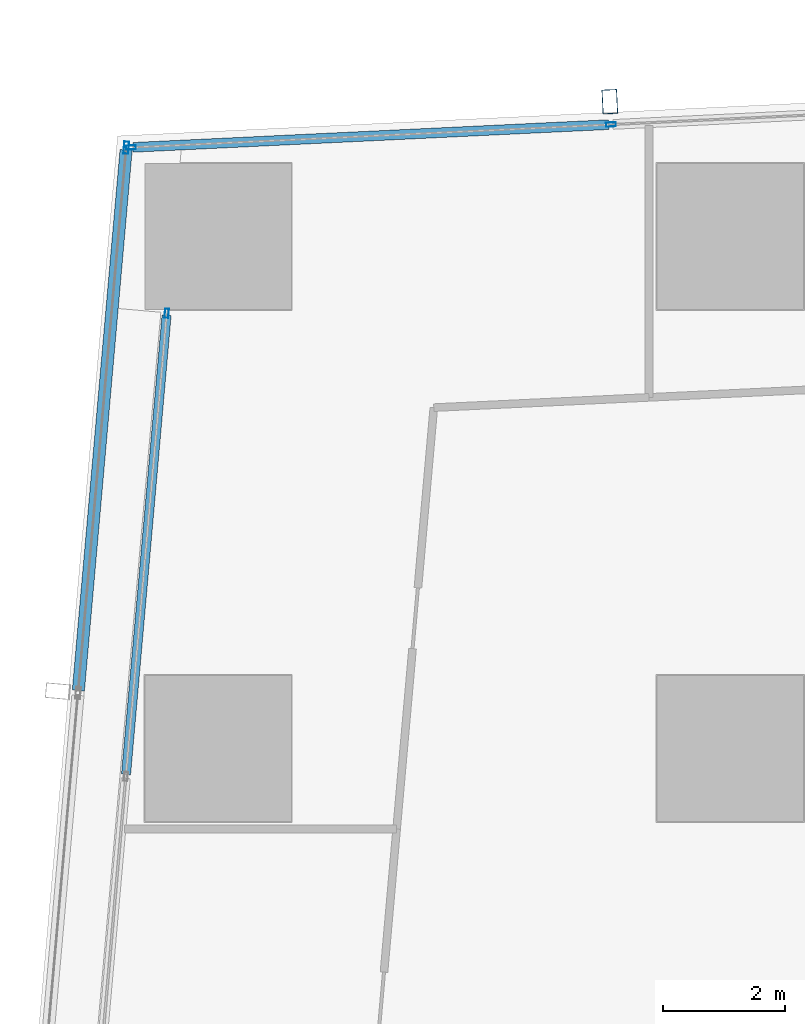
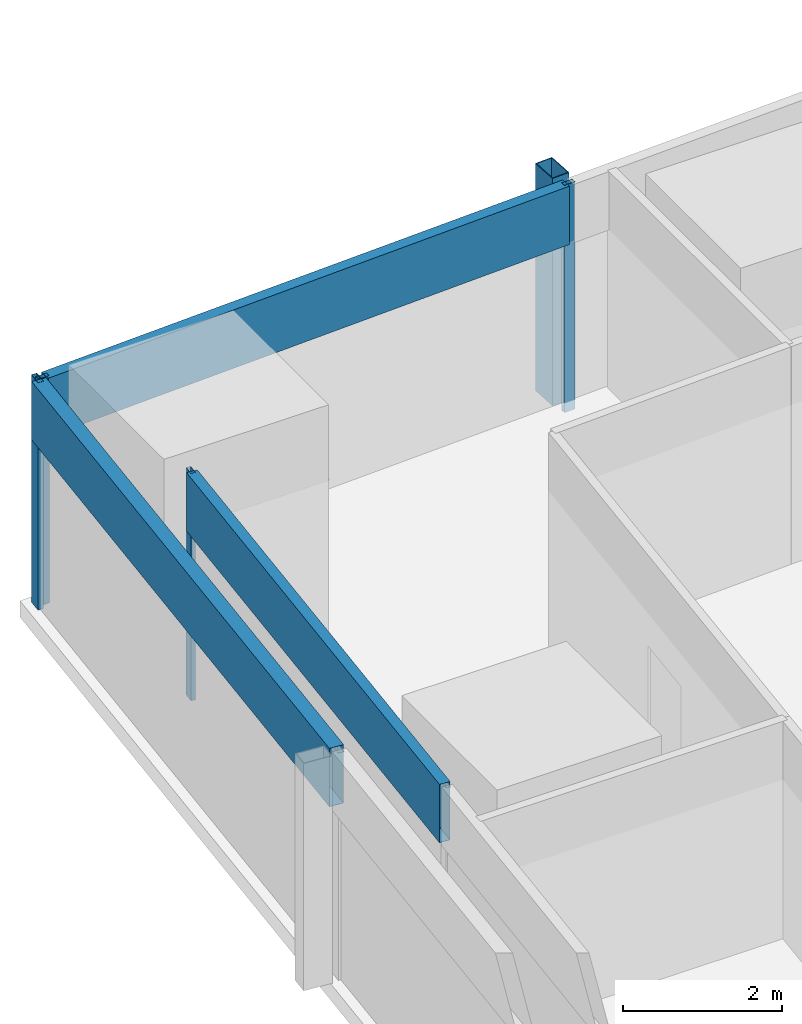
# One storey, part 15 of 37: 8 members, 3 elements without a shape of their own.
"""IFC4 building model written with IfcOpenShell, lengths in metres."""

from ifc_helpers import new_model, si_unit, direction, frame, origin, origin_2d, place, context, subcontext, project, spatial, hollow_rectangle, extrude, material, material_profile, profile_set, type_object, element, aggregate, save


model = new_model("IFC4")

# Units and contexts
model_context = context("Model", 3, precision=1e-05, world=origin(), true_north=direction((0.0, 1.0)))
body_context = subcontext(model_context, "Body", "Model", "MODEL_VIEW")
ifc_project = project(units=[si_unit("LENGTHUNIT", "METRE"), si_unit("AREAUNIT", "SQUARE_METRE"), si_unit("VOLUMEUNIT", "CUBIC_METRE"), si_unit("PLANEANGLEUNIT", "RADIAN"), si_unit("MASSUNIT", "GRAM", prefix="KILO")], contexts=[model_context])

# Site, building, storey
site_placement = place(None, origin())
site = spatial("IfcSite", under=ifc_project, at=site_placement, CompositionType="ELEMENT")
building_placement = place(site_placement, origin())
building = spatial("IfcBuilding", under=site, at=building_placement, Name="Rekha Terrace Tower", CompositionType="ELEMENT")
storey_placement = place(building_placement, frame((0.0, 0.0, 232.699951171875)))
storey = spatial("IfcBuildingStorey", under=building, at=storey_placement, Name="L59", CompositionType="ELEMENT", Elevation=232.699951171875)

# Curtain wall, member
ifc_material_1 = material(Name="Aluminium framing", Category="aluminium")
curtain_wall_type_1 = type_object("IfcCurtainWallType", Name="CW3 north unitised glazing", PredefinedType="USERDEFINED", material=ifc_material_1)
curtain_wall_1_placement = place(storey_placement, origin())
curtain_wall_1 = element("IfcCurtainWall", 1, at=curtain_wall_1_placement, inside=storey, type_object=curtain_wall_type_1, Name="CW3 unitised curtain wall", ObjectType="UNITISED CURTAIN WALL", PredefinedType="USERDEFINED")
ifc_material_2 = material(Name="Steel S355 with fluorocarbon finish", Category="steel")
ifc_material_profile_1 = material_profile(ifc_material_2, hollow_rectangle(XDim=0.25, YDim=0.39990234375, WallThickness=0.012451171875, at=origin_2d()), Name="RHS400x250x12.5")
ifc_profile_set_1 = profile_set([ifc_material_profile_1], Name="Steel S355 with fluorocarbon finish")
member_type_1 = type_object("IfcMemberType", Name="BL1 facade blade RHS 400 x 250", PredefinedType="USERDEFINED", material=ifc_profile_set_1)
member_1_placement = place(storey_placement, frame((14.824951171875, 61.01123046875, 0.0), z_axis=(0.0, 0.0, 1.0), x_axis=(-0.998858913274, -0.04775846913, 0.0)))
member_1 = element("IfcMember", 2, at=member_1_placement, type_object=member_type_1, Name="Facade blade", ObjectType="FACADE BLADE", PredefinedType="USERDEFINED", context=body_context, shape_type="SweptSolid", body=[
    extrude(hollow_rectangle(XDim=0.25, YDim=0.39990234375, WallThickness=0.012451171875, at=origin_2d()), origin(), (0.0, 0.0, 1.0), 3.5),
])

# Curtain wall, members
curtain_wall_type_2 = type_object("IfcCurtainWallType", Name="CW1 double skin inner glazing", PredefinedType="USERDEFINED", material=ifc_material_1)
curtain_wall_2_placement = place(storey_placement, origin())
curtain_wall_2 = element("IfcCurtainWall", 3, at=curtain_wall_2_placement, inside=storey, type_object=curtain_wall_type_2, Name="CW1 double skin inner glazing", ObjectType="DOUBLE SKIN INNER GLAZING", PredefinedType="USERDEFINED")
ifc_material_3 = material(Name="Aluminium mullion section", Category="aluminium")
ifc_material_profile_2 = material_profile(ifc_material_3, hollow_rectangle(XDim=0.06494140625, YDim=0.14990234375, WallThickness=0.00390625, at=origin_2d()), Name="AL RHS 65x150")
ifc_profile_set_2 = profile_set([ifc_material_profile_2], Name="Aluminium mullion section")
member_type_2 = type_object("IfcMemberType", Name="CW1 mullion RHS 65 x 150", PredefinedType="MULLION", material=ifc_profile_set_2)
member_2_placement = place(storey_placement, frame((7.55712890625, 57.539306640625, 0.0), z_axis=(0.0, 0.0, 1.0), x_axis=(0.996124185427, -0.087957985471, 0.0)))
member_2 = element("IfcMember", 4, at=member_2_placement, type_object=member_type_2, Name="CW1 mullion 1", PredefinedType="MULLION", context=body_context, shape_type="SweptSolid", body=[
    extrude(hollow_rectangle(XDim=0.06494140625, YDim=0.14990234375, WallThickness=0.00390625, at=origin_2d()), origin(), (0.0, 0.0, 1.0), 3.5),
])
ifc_material_4 = material(Name="Insulated aluminium spandrel box", Category="aluminium")
ifc_material_profile_3 = material_profile(ifc_material_4, hollow_rectangle(XDim=0.14990234375, YDim=0.89990234375, WallThickness=0.0029296875, at=origin_2d()), Name="AL SPANDREL BOX 150x900")
ifc_profile_set_3 = profile_set([ifc_material_profile_3], Name="Insulated aluminium spandrel box")
member_type_3 = type_object("IfcMemberType", Name="CW1 spandrel transom 150 x 900", PredefinedType="USERDEFINED", material=ifc_profile_set_3)
member_3_placement = place(storey_placement, frame((7.55419921875, 57.507080078125, 3.050048828125), z_axis=(-0.087956005103, -0.996124360292, 0.0), x_axis=(0.996124360292, -0.087956005103, 0.0)))
member_3 = element("IfcMember", 5, at=member_3_placement, type_object=member_type_3, Name="CW1 spandrel transom 1", ObjectType="TRANSOM", PredefinedType="USERDEFINED", context=body_context, shape_type="SweptSolid", body=[
    extrude(hollow_rectangle(XDim=0.14990234375, YDim=0.89990234375, WallThickness=0.0029296875, at=origin_2d()), origin(), (0.0, 0.0, 1.0), 7.56103515625),
])
aggregate(curtain_wall_2, [member_2, member_3])

curtain_wall_type_3 = type_object("IfcCurtainWallType", Name="CW2 double skin outer glazing", PredefinedType="USERDEFINED", material=ifc_material_1)
curtain_wall_3_placement = place(storey_placement, origin())
curtain_wall_3 = element("IfcCurtainWall", 6, at=curtain_wall_3_placement, inside=storey, type_object=curtain_wall_type_3, Name="CW2 double skin outer glazing", ObjectType="DOUBLE SKIN OUTER GLAZING", PredefinedType="USERDEFINED")
ifc_material_profile_4 = material_profile(ifc_material_3, hollow_rectangle(XDim=0.080078125, YDim=0.199951171875, WallThickness=0.00390625, at=origin_2d()), Name="AL RHS 80x200")
ifc_profile_set_4 = profile_set([ifc_material_profile_4], Name="Aluminium mullion section")
member_type_4 = type_object("IfcMemberType", Name="CW2 mullion RHS 80 x 200", PredefinedType="MULLION", material=ifc_profile_set_4)
member_4_placement = place(storey_placement, frame((6.8935546875, 60.257080078125, 0.0), z_axis=(0.0, 0.0, 1.0), x_axis=(0.996124185428, -0.087957985453, 0.0)))
member_4 = element("IfcMember", 7, at=member_4_placement, type_object=member_type_4, Name="CW2 mullion 1", PredefinedType="MULLION", context=body_context, shape_type="SweptSolid", body=[
    extrude(hollow_rectangle(XDim=0.080078125, YDim=0.199951171875, WallThickness=0.00390625, at=origin_2d()), origin(), (0.0, 0.0, 1.0), 3.5),
])
ifc_material_profile_5 = material_profile(ifc_material_4, hollow_rectangle(XDim=0.199951171875, YDim=0.89990234375, WallThickness=0.0029296875, at=origin_2d()), Name="AL SPANDREL BOX 200x900")
ifc_profile_set_5 = profile_set([ifc_material_profile_5], Name="Insulated aluminium spandrel box")
member_type_5 = type_object("IfcMemberType", Name="CW2 spandrel transom 200 x 900", PredefinedType="USERDEFINED", material=ifc_profile_set_5)
member_5_placement = place(storey_placement, frame((6.89013671875, 60.217041015625, 3.050048828125), z_axis=(-0.08797787529, -0.996122428951, 0.0), x_axis=(0.996122428951, -0.08797787529, 0.0)))
member_5 = element("IfcMember", 8, at=member_5_placement, type_object=member_type_5, Name="CW2 spandrel transom 1", ObjectType="TRANSOM", PredefinedType="USERDEFINED", context=body_context, shape_type="SweptSolid", body=[
    extrude(hollow_rectangle(XDim=0.199951171875, YDim=0.89990234375, WallThickness=0.0029296875, at=origin_2d()), origin(), (0.0, 0.0, 1.0), 8.8994140625),
])
aggregate(curtain_wall_3, [member_4, member_5])

# Member
ifc_material_profile_6 = material_profile(ifc_material_3, hollow_rectangle(XDim=0.070068359375, YDim=0.159912109375, WallThickness=0.00390625, at=origin_2d()), Name="AL RHS 70x160")
ifc_profile_set_6 = profile_set([ifc_material_profile_6], Name="Aluminium mullion section")
member_type_6 = type_object("IfcMemberType", Name="CW3 mullion RHS 70 x 160", PredefinedType="MULLION", material=ifc_profile_set_6)
member_6_placement = place(storey_placement, frame((14.843017578125, 60.63671875, 0.0), z_axis=(0.0, 0.0, 1.0), x_axis=(0.047758616983, -0.998858906204, 0.0)))
member_6 = element("IfcMember", 9, at=member_6_placement, type_object=member_type_6, Name="CW3 mullion 5", PredefinedType="MULLION", context=body_context, shape_type="SweptSolid", body=[
    extrude(hollow_rectangle(XDim=0.070068359375, YDim=0.159912109375, WallThickness=0.00390625, at=origin_2d()), origin(), (0.0, 0.0, 1.0), 3.5),
])

member_7_placement = place(storey_placement, frame((6.96875, 60.26025390625, 0.0), z_axis=(0.0, 0.0, 1.0), x_axis=(0.047758616983, -0.998858906204, 0.0)))
member_7 = element("IfcMember", 10, at=member_7_placement, type_object=member_type_6, Name="CW3 mullion 6", PredefinedType="MULLION", context=body_context, shape_type="SweptSolid", body=[
    extrude(hollow_rectangle(XDim=0.070068359375, YDim=0.159912109375, WallThickness=0.00390625, at=origin_2d()), origin(), (0.0, 0.0, 1.0), 3.5),
])

ifc_material_profile_7 = material_profile(ifc_material_4, hollow_rectangle(XDim=0.159912109375, YDim=0.89990234375, WallThickness=0.0029296875, at=origin_2d()), Name="AL SPANDREL BOX 160x900")
ifc_profile_set_7 = profile_set([ifc_material_profile_7], Name="Insulated aluminium spandrel box")
member_type_7 = type_object("IfcMemberType", Name="CW3 spandrel transom 160 x 900", PredefinedType="USERDEFINED", material=ifc_profile_set_7)
member_8_placement = place(storey_placement, frame((14.807861328125, 60.635009765625, 3.050048828125), z_axis=(-0.998859425172, -0.047747761666, 0.0), x_axis=(0.047747761666, -0.998859425172, 0.0)))
member_8 = element("IfcMember", 11, at=member_8_placement, type_object=member_type_7, Name="CW3 spandrel transom 5", ObjectType="TRANSOM", PredefinedType="USERDEFINED", context=body_context, shape_type="SweptSolid", body=[
    extrude(hollow_rectangle(XDim=0.159912109375, YDim=0.89990234375, WallThickness=0.0029296875, at=origin_2d()), origin(), (0.0, 0.0, 1.0), 7.81298828125),
])

aggregate(curtain_wall_1, [member_6, member_7, member_8, member_1])

save(model, "model.ifc")
